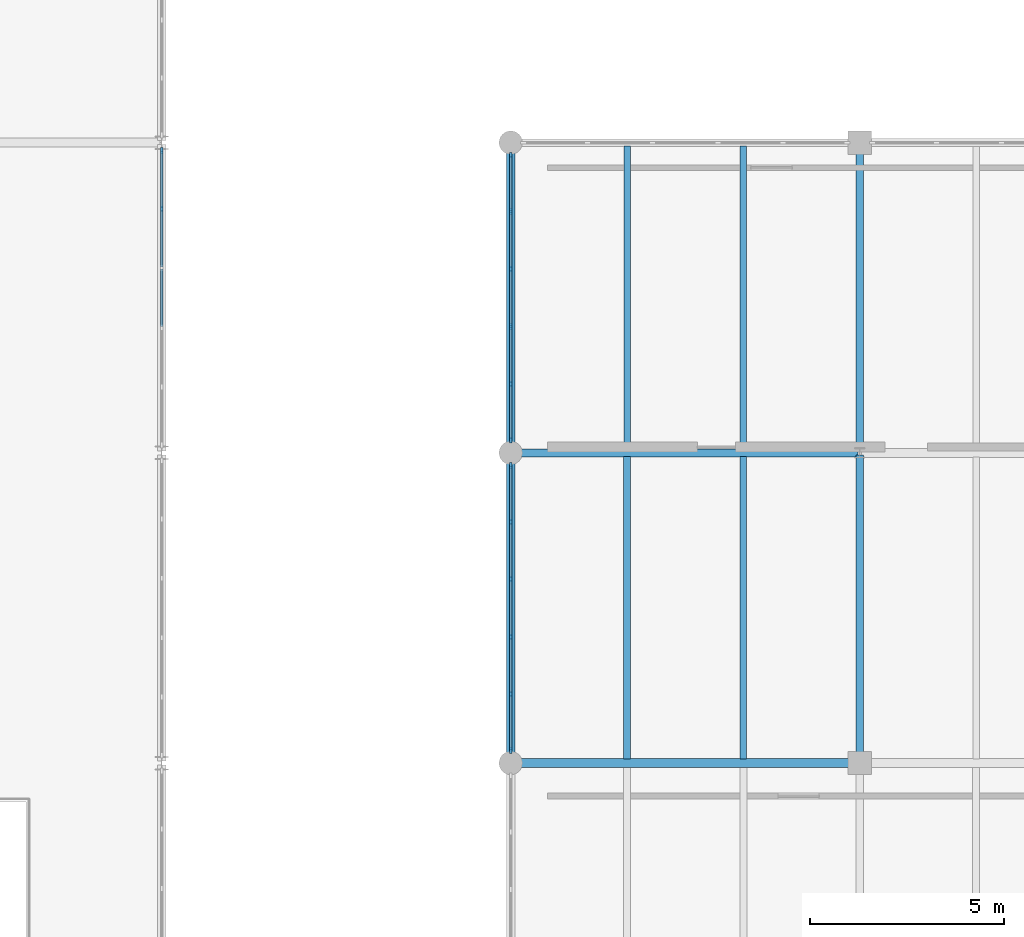
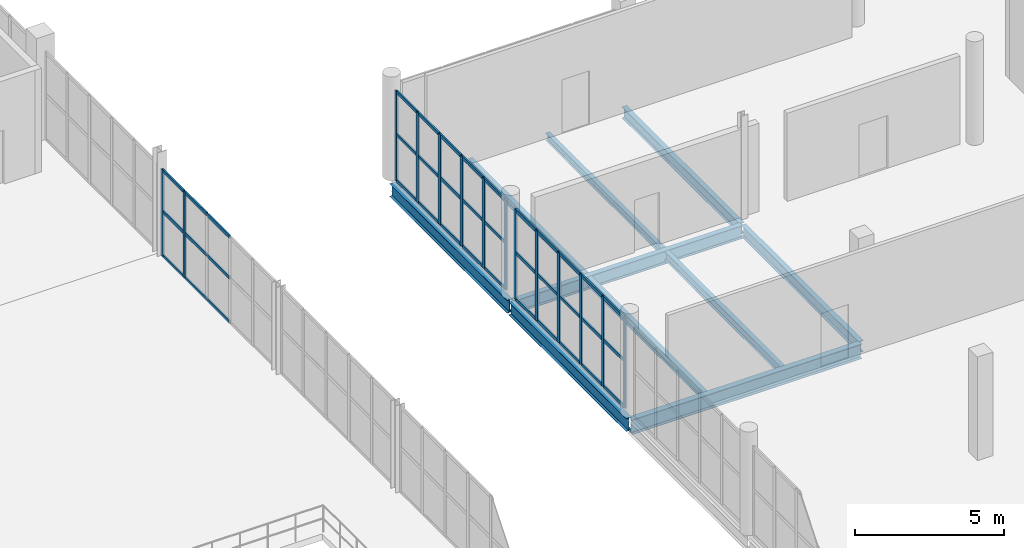
# One storey, part 26 of 73: 53 members, 10 beams, 3 elements without a shape of their own.
"""IFC4 building model written with IfcOpenShell, lengths in metres."""

from ifc_helpers import new_model, si_unit, direction, frame, origin, origin_2d, place, context, subcontext, project, spatial, rectangle, i_section, extrude, material, layer, layer_set, material_profile, profile_set, type_object, element, aggregate, save


model = new_model("IFC4")

# Units and contexts
model_context = context("Model", 3, precision=1e-05, world=origin(), true_north=direction((0.0, 1.0)))
body_context = subcontext(model_context, "Body", "Model", "MODEL_VIEW")
ifc_project = project(units=[si_unit("LENGTHUNIT", "METRE"), si_unit("AREAUNIT", "SQUARE_METRE"), si_unit("VOLUMEUNIT", "CUBIC_METRE"), si_unit("PLANEANGLEUNIT", "RADIAN"), si_unit("MASSUNIT", "GRAM", prefix="KILO")], contexts=[model_context])

# Site, building, storey
site_placement = place(None, origin())
site = spatial("IfcSite", under=ifc_project, at=site_placement, CompositionType="ELEMENT")
building_placement = place(site_placement, origin())
building = spatial("IfcBuilding", under=site, at=building_placement, Name="Marnock Terrace Opera House", CompositionType="ELEMENT")
storey_placement = place(building_placement, frame((0.0, 0.0, 14.699951171875)))
storey = spatial("IfcBuildingStorey", under=building, at=storey_placement, Name="L03", CompositionType="ELEMENT", Elevation=14.699951171875)

# Beams
ifc_material_1 = material(Name="Steel Grade 350 (AS/NZS 3679.1)", Category="steel")
ifc_material_profile_1 = material_profile(ifc_material_1, i_section(OverallWidth=0.18994140625, OverallDepth=0.45751953125, WebThickness=0.009033203125, FlangeThickness=0.014404296875, FilletRadius=0.011474609375, at=origin_2d()))
ifc_profile_set_1 = profile_set([ifc_material_profile_1], Name="Steel Grade 350 (AS/NZS 3679.1)")
beam_type_1 = type_object("IfcBeamType", Name="BM-GIRD-460B", PredefinedType="BEAM", material=ifc_profile_set_1)
for number, where, z_axis, x_axis, name in (
    (1, (127.0, 24.050048828125, -0.48876953125), (0.0, 1.0, 0.0), (-1.0, 0.0, 0.0), "L03 girder (X=127.0, 24.0..32.0)"),
    (2, (127.0, 32.050048828125, -0.48876953125), (0.0, 1.0, 0.0), (-1.0, 0.0, 0.0), "L03 girder (X=127.0, 32.0..40.0)"),
):
    element("IfcBeam", number, at=place(storey_placement, frame(where, z_axis=z_axis, x_axis=x_axis)), inside=storey, type_object=beam_type_1, Name=name, PredefinedType="BEAM", context=body_context, shape_type="SweptSolid", body=[
        extrude(i_section(OverallWidth=0.18994140625, OverallDepth=0.45751953125, WebThickness=0.009033203125, FlangeThickness=0.014404296875, FilletRadius=0.011474609375, at=origin_2d()), origin(), (0.0, 0.0, 1.0), 7.89990234375),
    ])
ifc_material_profile_2 = material_profile(ifc_material_1, i_section(OverallWidth=0.208984375, OverallDepth=0.532958984375, WebThickness=0.01025390625, FlangeThickness=0.015625, FilletRadius=0.013916015625, at=origin_2d()))
ifc_profile_set_2 = profile_set([ifc_material_profile_2], Name="Steel Grade 350 (AS/NZS 3679.1)")
beam_type_2 = type_object("IfcBeamType", Name="BM-GIRD-530A", PredefinedType="BEAM", material=ifc_profile_set_2)
beam_1_placement = place(storey_placement, frame((118.050048828125, 32.0, -0.5263671875), z_axis=(1.0, 0.0, 0.0), x_axis=(0.0, 1.0, 0.0)))
element("IfcBeam", 3, at=beam_1_placement, inside=storey, type_object=beam_type_2, Name="L03 girder (118.0..127.0, Y=32.0)", PredefinedType="BEAM", context=body_context, shape_type="SweptSolid", body=[
    extrude(i_section(OverallWidth=0.208984375, OverallDepth=0.532958984375, WebThickness=0.01025390625, FlangeThickness=0.015625, FilletRadius=0.013916015625, at=origin_2d()), origin(), (0.0, 0.0, 1.0), 8.89990234375),
])
ifc_material_profile_3 = material_profile(ifc_material_1, i_section(OverallWidth=0.208984375, OverallDepth=0.528076171875, WebThickness=0.009521484375, FlangeThickness=0.01318359375, FilletRadius=0.013916015625, at=origin_2d()))
ifc_profile_set_3 = profile_set([ifc_material_profile_3], Name="Steel Grade 350 (AS/NZS 3679.1)")
beam_type_3 = type_object("IfcBeamType", Name="BM-GIRD-530B", PredefinedType="BEAM", material=ifc_profile_set_3)
for number, where, z_axis, x_axis, name in (
    (4, (118.0, 24.050048828125, -0.52392578125), (0.0, 1.0, 0.0), (-1.0, 0.0, 0.0), "L03 girder (X=118.0, 24.0..32.0)"),
    (5, (118.0, 32.050048828125, -0.52392578125), (0.0, 1.0, 0.0), (-1.0, 0.0, 0.0), "L03 girder (X=118.0, 32.0..40.0)"),
):
    element("IfcBeam", number, at=place(storey_placement, frame(where, z_axis=z_axis, x_axis=x_axis)), inside=storey, type_object=beam_type_3, Name=name, PredefinedType="BEAM", context=body_context, shape_type="SweptSolid", body=[
        extrude(i_section(OverallWidth=0.208984375, OverallDepth=0.528076171875, WebThickness=0.009521484375, FlangeThickness=0.01318359375, FilletRadius=0.013916015625, at=origin_2d()), origin(), (0.0, 0.0, 1.0), 7.89990234375),
    ])
ifc_material_profile_4 = material_profile(ifc_material_1, i_section(OverallWidth=0.22802734375, OverallDepth=0.60693359375, WebThickness=0.01123046875, FlangeThickness=0.017333984375, FilletRadius=0.013916015625, at=origin_2d()))
ifc_profile_set_4 = profile_set([ifc_material_profile_4], Name="Steel Grade 350 (AS/NZS 3679.1)")
beam_type_4 = type_object("IfcBeamType", Name="BM-GIRD-610B", PredefinedType="BEAM", material=ifc_profile_set_4)
beam_2_placement = place(storey_placement, frame((118.050048828125, 24.0, -0.5634765625), z_axis=(1.0, 0.0, 0.0), x_axis=(0.0, 1.0, 0.0)))
element("IfcBeam", 6, at=beam_2_placement, inside=storey, type_object=beam_type_4, Name="L03 girder (118.0..127.0, Y=24.0)", PredefinedType="BEAM", context=body_context, shape_type="SweptSolid", body=[
    extrude(i_section(OverallWidth=0.22802734375, OverallDepth=0.60693359375, WebThickness=0.01123046875, FlangeThickness=0.017333984375, FilletRadius=0.013916015625, at=origin_2d()), origin(), (0.0, 0.0, 1.0), 8.89990234375),
])
ifc_material_profile_5 = material_profile(ifc_material_1, i_section(OverallWidth=0.166015625, OverallDepth=0.30712890625, WebThickness=0.006591796875, FlangeThickness=0.01171875, FilletRadius=0.011474609375, at=origin_2d()))
ifc_profile_set_5 = profile_set([ifc_material_profile_5], Name="Steel Grade 350 (AS/NZS 3679.1)")
beam_type_5 = type_object("IfcBeamType", Name="BM-JOIST-310A", PredefinedType="JOIST", material=ifc_profile_set_5)
for number, where, z_axis, x_axis, name in (
    (7, (121.0, 32.099609375, -0.41357421875), (0.0, 1.0, 0.0), (-1.0, 0.0, 0.0), "L03 secondary joist 13.4.1"),
    (8, (124.0, 32.099609375, -0.41357421875), (0.0, 1.0, 0.0), (-1.0, 0.0, 0.0), "L03 secondary joist 13.4.2"),
):
    element("IfcBeam", number, at=place(storey_placement, frame(where, z_axis=z_axis, x_axis=x_axis)), inside=storey, type_object=beam_type_5, Name=name, PredefinedType="JOIST", context=body_context, shape_type="SweptSolid", body=[
        extrude(i_section(OverallWidth=0.166015625, OverallDepth=0.30712890625, WebThickness=0.006591796875, FlangeThickness=0.01171875, FilletRadius=0.011474609375, at=origin_2d()), origin(), (0.0, 0.0, 1.0), 7.809814453125),
    ])
ifc_material_profile_6 = material_profile(ifc_material_1, i_section(OverallWidth=0.172119140625, OverallDepth=0.358642578125, WebThickness=0.008056640625, FlangeThickness=0.012939453125, FilletRadius=0.011474609375, at=origin_2d()))
ifc_profile_set_6 = profile_set([ifc_material_profile_6], Name="Steel Grade 350 (AS/NZS 3679.1)")
beam_type_6 = type_object("IfcBeamType", Name="BM-JOIST-360", PredefinedType="JOIST", material=ifc_profile_set_6)
for number, where, z_axis, x_axis, name in (
    (9, (121.0, 24.10888671875, -0.439208984375), (0.0, 1.0, 0.0), (-1.0, 0.0, 0.0), "L03 secondary joist 13.3.1"),
    (10, (124.0, 24.10888671875, -0.439208984375), (0.0, 1.0, 0.0), (-1.0, 0.0, 0.0), "L03 secondary joist 13.3.2"),
):
    element("IfcBeam", number, at=place(storey_placement, frame(where, z_axis=z_axis, x_axis=x_axis)), inside=storey, type_object=beam_type_6, Name=name, PredefinedType="JOIST", context=body_context, shape_type="SweptSolid", body=[
        extrude(i_section(OverallWidth=0.172119140625, OverallDepth=0.358642578125, WebThickness=0.008056640625, FlangeThickness=0.012939453125, FilletRadius=0.011474609375, at=origin_2d()), origin(), (0.0, 0.0, 1.0), 7.79150390625),
    ])

# Curtain wall, members
ifc_material_2 = material(Name="Anodised architectural bronze aluminium framing", Category="aluminium")
ifc_layer_1 = layer(ifc_material_2, 0.159912109375)
ifc_layer_set_1 = layer_set([ifc_layer_1], Name="Anodised architectural bronze aluminium framing")
curtain_wall_type_1 = type_object("IfcCurtainWallType", Name="CW-FOYER-80x42", PredefinedType="NOTDEFINED", material=ifc_layer_set_1)
curtain_wall_1_placement = place(storey_placement, origin())
curtain_wall_1 = element("IfcCurtainWall", 11, at=curtain_wall_1_placement, inside=storey, type_object=curtain_wall_type_1, Name="L03 glazed Beaux-Arts colonnade curtain wall CW-V1E-L03-04", PredefinedType="NOTDEFINED")
ifc_material_profile_7 = material_profile(ifc_material_2, rectangle(XDim=0.06005859375, YDim=0.14990234375, at=origin_2d()))
ifc_profile_set_7 = profile_set([ifc_material_profile_7], Name="Anodised architectural bronze aluminium framing")
member_type_1 = type_object("IfcMemberType", Name="CWM-60x150", PredefinedType="MULLION", material=ifc_profile_set_7)
member_1_placement = place(storey_placement, frame((109.0, 38.29736328125, 0.0), z_axis=(0.0, 0.0, 1.0), x_axis=(-1.0, 0.0, 0.0)))
member_1 = element("IfcMember", 12, at=member_1_placement, type_object=member_type_1, Name="CW-62 mullion 5", PredefinedType="MULLION", context=body_context, shape_type="SweptSolid", body=[
    extrude(rectangle(XDim=0.06005859375, YDim=0.14990234375, at=origin_2d()), origin(), (0.0, 0.0, 1.0), 3.546142578125),
])
member_2_placement = place(storey_placement, frame((109.0, 39.799072265625, 0.0), z_axis=(0.0, 0.0, 1.0), x_axis=(-1.0, 0.0, 0.0)))
member_2 = element("IfcMember", 13, at=member_2_placement, type_object=member_type_1, Name="CW-62 mullion 6", PredefinedType="MULLION", context=body_context, shape_type="SweptSolid", body=[
    extrude(rectangle(XDim=0.06005859375, YDim=0.14990234375, at=origin_2d()), origin(), (0.0, 0.0, 1.0), 3.546142578125),
])

ifc_layer_2 = layer(ifc_material_2, 0.159912109375)
ifc_layer_set_2 = layer_set([ifc_layer_2], Name="Anodised architectural bronze aluminium framing")
curtain_wall_type_2 = type_object("IfcCurtainWallType", Name="CW-LOGGIA-86x42", PredefinedType="NOTDEFINED", material=ifc_layer_set_2)
curtain_wall_2_placement = place(storey_placement, origin())
curtain_wall_2 = element("IfcCurtainWall", 14, at=curtain_wall_2_placement, inside=storey, type_object=curtain_wall_type_2, Name="L03 glazed Beaux-Arts colonnade curtain wall CW-V5-L03-W3", PredefinedType="NOTDEFINED")
member_3_placement = place(storey_placement, frame((118.0, 24.325927734375, 0.0), z_axis=(0.0, 0.0, 1.0), x_axis=(-1.0, 0.0, 0.0)))
member_3 = element("IfcMember", 15, at=member_3_placement, type_object=member_type_1, Name="CW-66 mullion 1", PredefinedType="MULLION", context=body_context, shape_type="SweptSolid", body=[
    extrude(rectangle(XDim=0.06005859375, YDim=0.14990234375, at=origin_2d()), origin(), (0.0, 0.0, 1.0), 3.692138671875),
])
member_4_placement = place(storey_placement, frame((118.0, 25.777587890625, 0.0), z_axis=(0.0, 0.0, 1.0), x_axis=(-1.0, 0.0, 0.0)))
member_4 = element("IfcMember", 16, at=member_4_placement, type_object=member_type_1, Name="CW-66 mullion 2", PredefinedType="MULLION", context=body_context, shape_type="SweptSolid", body=[
    extrude(rectangle(XDim=0.06005859375, YDim=0.14990234375, at=origin_2d()), origin(), (0.0, 0.0, 1.0), 3.692138671875),
])
member_5_placement = place(storey_placement, frame((118.0, 27.25927734375, 0.0), z_axis=(0.0, 0.0, 1.0), x_axis=(-1.0, 0.0, 0.0)))
member_5 = element("IfcMember", 17, at=member_5_placement, type_object=member_type_1, Name="CW-66 mullion 3", PredefinedType="MULLION", context=body_context, shape_type="SweptSolid", body=[
    extrude(rectangle(XDim=0.06005859375, YDim=0.14990234375, at=origin_2d()), origin(), (0.0, 0.0, 1.0), 3.692138671875),
])
member_6_placement = place(storey_placement, frame((118.0, 28.74072265625, 0.0), z_axis=(0.0, 0.0, 1.0), x_axis=(-1.0, 0.0, 0.0)))
member_6 = element("IfcMember", 18, at=member_6_placement, type_object=member_type_1, Name="CW-66 mullion 4", PredefinedType="MULLION", context=body_context, shape_type="SweptSolid", body=[
    extrude(rectangle(XDim=0.06005859375, YDim=0.14990234375, at=origin_2d()), origin(), (0.0, 0.0, 1.0), 3.692138671875),
])
member_7_placement = place(storey_placement, frame((118.0, 30.222412109375, 0.0), z_axis=(0.0, 0.0, 1.0), x_axis=(-1.0, 0.0, 0.0)))
member_7 = element("IfcMember", 19, at=member_7_placement, type_object=member_type_1, Name="CW-66 mullion 5", PredefinedType="MULLION", context=body_context, shape_type="SweptSolid", body=[
    extrude(rectangle(XDim=0.06005859375, YDim=0.14990234375, at=origin_2d()), origin(), (0.0, 0.0, 1.0), 3.692138671875),
])
member_8_placement = place(storey_placement, frame((118.0, 31.674072265625, 0.0), z_axis=(0.0, 0.0, 1.0), x_axis=(-1.0, 0.0, 0.0)))
member_8 = element("IfcMember", 20, at=member_8_placement, type_object=member_type_1, Name="CW-66 mullion 6", PredefinedType="MULLION", context=body_context, shape_type="SweptSolid", body=[
    extrude(rectangle(XDim=0.06005859375, YDim=0.14990234375, at=origin_2d()), origin(), (0.0, 0.0, 1.0), 3.692138671875),
])

curtain_wall_3_placement = place(storey_placement, origin())
curtain_wall_3 = element("IfcCurtainWall", 21, at=curtain_wall_3_placement, inside=storey, type_object=curtain_wall_type_2, Name="L03 glazed Beaux-Arts colonnade curtain wall CW-V5-L03-W4", PredefinedType="NOTDEFINED")
member_9_placement = place(storey_placement, frame((118.0, 32.325927734375, 0.0), z_axis=(0.0, 0.0, 1.0), x_axis=(-1.0, 0.0, 0.0)))
member_9 = element("IfcMember", 22, at=member_9_placement, type_object=member_type_1, Name="CW-66 mullion 1", PredefinedType="MULLION", context=body_context, shape_type="SweptSolid", body=[
    extrude(rectangle(XDim=0.06005859375, YDim=0.14990234375, at=origin_2d()), origin(), (0.0, 0.0, 1.0), 3.692138671875),
])
member_10_placement = place(storey_placement, frame((118.0, 33.777587890625, 0.0), z_axis=(0.0, 0.0, 1.0), x_axis=(-1.0, 0.0, 0.0)))
member_10 = element("IfcMember", 23, at=member_10_placement, type_object=member_type_1, Name="CW-66 mullion 2", PredefinedType="MULLION", context=body_context, shape_type="SweptSolid", body=[
    extrude(rectangle(XDim=0.06005859375, YDim=0.14990234375, at=origin_2d()), origin(), (0.0, 0.0, 1.0), 3.692138671875),
])
member_11_placement = place(storey_placement, frame((118.0, 35.25927734375, 0.0), z_axis=(0.0, 0.0, 1.0), x_axis=(-1.0, 0.0, 0.0)))
member_11 = element("IfcMember", 24, at=member_11_placement, type_object=member_type_1, Name="CW-66 mullion 3", PredefinedType="MULLION", context=body_context, shape_type="SweptSolid", body=[
    extrude(rectangle(XDim=0.06005859375, YDim=0.14990234375, at=origin_2d()), origin(), (0.0, 0.0, 1.0), 3.692138671875),
])
member_12_placement = place(storey_placement, frame((118.0, 36.74072265625, 0.0), z_axis=(0.0, 0.0, 1.0), x_axis=(-1.0, 0.0, 0.0)))
member_12 = element("IfcMember", 25, at=member_12_placement, type_object=member_type_1, Name="CW-66 mullion 4", PredefinedType="MULLION", context=body_context, shape_type="SweptSolid", body=[
    extrude(rectangle(XDim=0.06005859375, YDim=0.14990234375, at=origin_2d()), origin(), (0.0, 0.0, 1.0), 3.692138671875),
])
member_13_placement = place(storey_placement, frame((118.0, 38.222412109375, 0.0), z_axis=(0.0, 0.0, 1.0), x_axis=(-1.0, 0.0, 0.0)))
member_13 = element("IfcMember", 26, at=member_13_placement, type_object=member_type_1, Name="CW-66 mullion 5", PredefinedType="MULLION", context=body_context, shape_type="SweptSolid", body=[
    extrude(rectangle(XDim=0.06005859375, YDim=0.14990234375, at=origin_2d()), origin(), (0.0, 0.0, 1.0), 3.692138671875),
])
member_14_placement = place(storey_placement, frame((118.0, 39.674072265625, 0.0), z_axis=(0.0, 0.0, 1.0), x_axis=(-1.0, 0.0, 0.0)))
member_14 = element("IfcMember", 27, at=member_14_placement, type_object=member_type_1, Name="CW-66 mullion 6", PredefinedType="MULLION", context=body_context, shape_type="SweptSolid", body=[
    extrude(rectangle(XDim=0.06005859375, YDim=0.14990234375, at=origin_2d()), origin(), (0.0, 0.0, 1.0), 3.692138671875),
])

# Member
ifc_material_profile_8 = material_profile(ifc_material_2, rectangle(XDim=0.06005859375, YDim=0.1298828125, at=origin_2d()))
ifc_profile_set_8 = profile_set([ifc_material_profile_8], Name="Anodised architectural bronze aluminium framing")
member_type_2 = type_object("IfcMemberType", Name="CWT-60x130", PredefinedType="USERDEFINED", material=ifc_profile_set_8)
member_15_placement = place(storey_placement, frame((109.0, 35.26416015625, 0.030029296875), z_axis=(0.0, 1.0, 0.0), x_axis=(-1.0, 0.0, 0.0)))
member_15 = element("IfcMember", 28, at=member_15_placement, type_object=member_type_2, Name="CW-62 transom 3.1", ObjectType="TRANSOM", PredefinedType="USERDEFINED", context=body_context, shape_type="SweptSolid", body=[
    extrude(rectangle(XDim=0.06005859375, YDim=0.1298828125, at=origin_2d()), origin(), (0.0, 0.0, 1.0), 1.4716796875),
])

member_16_placement = place(storey_placement, frame((109.0, 35.26416015625, 1.843994140625), z_axis=(0.0, 1.0, 0.0), x_axis=(-1.0, 0.0, 0.0)))
member_16 = element("IfcMember", 29, at=member_16_placement, type_object=member_type_2, Name="CW-62 transom 3.2", ObjectType="TRANSOM", PredefinedType="USERDEFINED", context=body_context, shape_type="SweptSolid", body=[
    extrude(rectangle(XDim=0.06005859375, YDim=0.1298828125, at=origin_2d()), origin(), (0.0, 0.0, 1.0), 1.4716796875),
])

member_17_placement = place(storey_placement, frame((109.0, 35.26416015625, 3.51611328125), z_axis=(0.0, 1.0, 0.0), x_axis=(-1.0, 0.0, 0.0)))
member_17 = element("IfcMember", 30, at=member_17_placement, type_object=member_type_2, Name="CW-62 transom 3.3", ObjectType="TRANSOM", PredefinedType="USERDEFINED", context=body_context, shape_type="SweptSolid", body=[
    extrude(rectangle(XDim=0.06005859375, YDim=0.1298828125, at=origin_2d()), origin(), (0.0, 0.0, 1.0), 1.4716796875),
])

member_18_placement = place(storey_placement, frame((109.0, 36.7958984375, 0.030029296875), z_axis=(0.0, 1.0, 0.0), x_axis=(-1.0, 0.0, 0.0)))
member_18 = element("IfcMember", 31, at=member_18_placement, type_object=member_type_2, Name="CW-62 transom 4.1", ObjectType="TRANSOM", PredefinedType="USERDEFINED", context=body_context, shape_type="SweptSolid", body=[
    extrude(rectangle(XDim=0.06005859375, YDim=0.1298828125, at=origin_2d()), origin(), (0.0, 0.0, 1.0), 1.471435546875),
])

member_19_placement = place(storey_placement, frame((109.0, 36.7958984375, 1.843994140625), z_axis=(0.0, 1.0, 0.0), x_axis=(-1.0, 0.0, 0.0)))
member_19 = element("IfcMember", 32, at=member_19_placement, type_object=member_type_2, Name="CW-62 transom 4.2", ObjectType="TRANSOM", PredefinedType="USERDEFINED", context=body_context, shape_type="SweptSolid", body=[
    extrude(rectangle(XDim=0.06005859375, YDim=0.1298828125, at=origin_2d()), origin(), (0.0, 0.0, 1.0), 1.471435546875),
])

member_20_placement = place(storey_placement, frame((109.0, 36.7958984375, 3.51611328125), z_axis=(0.0, 1.0, 0.0), x_axis=(-1.0, 0.0, 0.0)))
member_20 = element("IfcMember", 33, at=member_20_placement, type_object=member_type_2, Name="CW-62 transom 4.3", ObjectType="TRANSOM", PredefinedType="USERDEFINED", context=body_context, shape_type="SweptSolid", body=[
    extrude(rectangle(XDim=0.06005859375, YDim=0.1298828125, at=origin_2d()), origin(), (0.0, 0.0, 1.0), 1.471435546875),
])

member_21_placement = place(storey_placement, frame((109.0, 38.327392578125, 0.030029296875), z_axis=(0.0, 1.0, 0.0), x_axis=(-1.0, 0.0, 0.0)))
member_21 = element("IfcMember", 34, at=member_21_placement, type_object=member_type_2, Name="CW-62 transom 5.1", ObjectType="TRANSOM", PredefinedType="USERDEFINED", context=body_context, shape_type="SweptSolid", body=[
    extrude(rectangle(XDim=0.06005859375, YDim=0.1298828125, at=origin_2d()), origin(), (0.0, 0.0, 1.0), 1.441650390625),
])

member_22_placement = place(storey_placement, frame((109.0, 38.327392578125, 1.843994140625), z_axis=(0.0, 1.0, 0.0), x_axis=(-1.0, 0.0, 0.0)))
member_22 = element("IfcMember", 35, at=member_22_placement, type_object=member_type_2, Name="CW-62 transom 5.2", ObjectType="TRANSOM", PredefinedType="USERDEFINED", context=body_context, shape_type="SweptSolid", body=[
    extrude(rectangle(XDim=0.06005859375, YDim=0.1298828125, at=origin_2d()), origin(), (0.0, 0.0, 1.0), 1.441650390625),
])

member_23_placement = place(storey_placement, frame((109.0, 38.327392578125, 3.51611328125), z_axis=(0.0, 1.0, 0.0), x_axis=(-1.0, 0.0, 0.0)))
member_23 = element("IfcMember", 36, at=member_23_placement, type_object=member_type_2, Name="CW-62 transom 5.3", ObjectType="TRANSOM", PredefinedType="USERDEFINED", context=body_context, shape_type="SweptSolid", body=[
    extrude(rectangle(XDim=0.06005859375, YDim=0.1298828125, at=origin_2d()), origin(), (0.0, 0.0, 1.0), 1.441650390625),
])

aggregate(curtain_wall_1, [member_1, member_2, member_15, member_16, member_17, member_18, member_19, member_20, member_21, member_22, member_23])

member_24_placement = place(storey_placement, frame((118.0, 24.35595703125, 0.030029296875), z_axis=(0.0, 1.0, 0.0), x_axis=(-1.0, 0.0, 0.0)))
member_24 = element("IfcMember", 37, at=member_24_placement, type_object=member_type_2, Name="CW-66 transom 1.1", ObjectType="TRANSOM", PredefinedType="USERDEFINED", context=body_context, shape_type="SweptSolid", body=[
    extrude(rectangle(XDim=0.06005859375, YDim=0.1298828125, at=origin_2d()), origin(), (0.0, 0.0, 1.0), 1.3916015625),
])

member_25_placement = place(storey_placement, frame((118.0, 24.35595703125, 1.919921875), z_axis=(0.0, 1.0, 0.0), x_axis=(-1.0, 0.0, 0.0)))
member_25 = element("IfcMember", 38, at=member_25_placement, type_object=member_type_2, Name="CW-66 transom 1.2", ObjectType="TRANSOM", PredefinedType="USERDEFINED", context=body_context, shape_type="SweptSolid", body=[
    extrude(rectangle(XDim=0.06005859375, YDim=0.1298828125, at=origin_2d()), origin(), (0.0, 0.0, 1.0), 1.3916015625),
])

member_26_placement = place(storey_placement, frame((118.0, 24.35595703125, 3.662109375), z_axis=(0.0, 1.0, 0.0), x_axis=(-1.0, 0.0, 0.0)))
member_26 = element("IfcMember", 39, at=member_26_placement, type_object=member_type_2, Name="CW-66 transom 1.3", ObjectType="TRANSOM", PredefinedType="USERDEFINED", context=body_context, shape_type="SweptSolid", body=[
    extrude(rectangle(XDim=0.06005859375, YDim=0.1298828125, at=origin_2d()), origin(), (0.0, 0.0, 1.0), 1.3916015625),
])

member_27_placement = place(storey_placement, frame((118.0, 25.8076171875, 0.030029296875), z_axis=(0.0, 1.0, 0.0), x_axis=(-1.0, 0.0, 0.0)))
member_27 = element("IfcMember", 40, at=member_27_placement, type_object=member_type_2, Name="CW-66 transom 2.1", ObjectType="TRANSOM", PredefinedType="USERDEFINED", context=body_context, shape_type="SweptSolid", body=[
    extrude(rectangle(XDim=0.06005859375, YDim=0.1298828125, at=origin_2d()), origin(), (0.0, 0.0, 1.0), 1.421630859375),
])

member_28_placement = place(storey_placement, frame((118.0, 25.8076171875, 1.919921875), z_axis=(0.0, 1.0, 0.0), x_axis=(-1.0, 0.0, 0.0)))
member_28 = element("IfcMember", 41, at=member_28_placement, type_object=member_type_2, Name="CW-66 transom 2.2", ObjectType="TRANSOM", PredefinedType="USERDEFINED", context=body_context, shape_type="SweptSolid", body=[
    extrude(rectangle(XDim=0.06005859375, YDim=0.1298828125, at=origin_2d()), origin(), (0.0, 0.0, 1.0), 1.421630859375),
])

member_29_placement = place(storey_placement, frame((118.0, 25.8076171875, 3.662109375), z_axis=(0.0, 1.0, 0.0), x_axis=(-1.0, 0.0, 0.0)))
member_29 = element("IfcMember", 42, at=member_29_placement, type_object=member_type_2, Name="CW-66 transom 2.3", ObjectType="TRANSOM", PredefinedType="USERDEFINED", context=body_context, shape_type="SweptSolid", body=[
    extrude(rectangle(XDim=0.06005859375, YDim=0.1298828125, at=origin_2d()), origin(), (0.0, 0.0, 1.0), 1.421630859375),
])

member_30_placement = place(storey_placement, frame((118.0, 27.289306640625, 0.030029296875), z_axis=(0.0, 1.0, 0.0), x_axis=(-1.0, 0.0, 0.0)))
member_30 = element("IfcMember", 43, at=member_30_placement, type_object=member_type_2, Name="CW-66 transom 3.1", ObjectType="TRANSOM", PredefinedType="USERDEFINED", context=body_context, shape_type="SweptSolid", body=[
    extrude(rectangle(XDim=0.06005859375, YDim=0.1298828125, at=origin_2d()), origin(), (0.0, 0.0, 1.0), 1.42138671875),
])

member_31_placement = place(storey_placement, frame((118.0, 27.289306640625, 1.919921875), z_axis=(0.0, 1.0, 0.0), x_axis=(-1.0, 0.0, 0.0)))
member_31 = element("IfcMember", 44, at=member_31_placement, type_object=member_type_2, Name="CW-66 transom 3.2", ObjectType="TRANSOM", PredefinedType="USERDEFINED", context=body_context, shape_type="SweptSolid", body=[
    extrude(rectangle(XDim=0.06005859375, YDim=0.1298828125, at=origin_2d()), origin(), (0.0, 0.0, 1.0), 1.42138671875),
])

member_32_placement = place(storey_placement, frame((118.0, 27.289306640625, 3.662109375), z_axis=(0.0, 1.0, 0.0), x_axis=(-1.0, 0.0, 0.0)))
member_32 = element("IfcMember", 45, at=member_32_placement, type_object=member_type_2, Name="CW-66 transom 3.3", ObjectType="TRANSOM", PredefinedType="USERDEFINED", context=body_context, shape_type="SweptSolid", body=[
    extrude(rectangle(XDim=0.06005859375, YDim=0.1298828125, at=origin_2d()), origin(), (0.0, 0.0, 1.0), 1.42138671875),
])

member_33_placement = place(storey_placement, frame((118.0, 28.770751953125, 0.030029296875), z_axis=(0.0, 1.0, 0.0), x_axis=(-1.0, 0.0, 0.0)))
member_33 = element("IfcMember", 46, at=member_33_placement, type_object=member_type_2, Name="CW-66 transom 4.1", ObjectType="TRANSOM", PredefinedType="USERDEFINED", context=body_context, shape_type="SweptSolid", body=[
    extrude(rectangle(XDim=0.06005859375, YDim=0.1298828125, at=origin_2d()), origin(), (0.0, 0.0, 1.0), 1.421630859375),
])

member_34_placement = place(storey_placement, frame((118.0, 28.770751953125, 1.919921875), z_axis=(0.0, 1.0, 0.0), x_axis=(-1.0, 0.0, 0.0)))
member_34 = element("IfcMember", 47, at=member_34_placement, type_object=member_type_2, Name="CW-66 transom 4.2", ObjectType="TRANSOM", PredefinedType="USERDEFINED", context=body_context, shape_type="SweptSolid", body=[
    extrude(rectangle(XDim=0.06005859375, YDim=0.1298828125, at=origin_2d()), origin(), (0.0, 0.0, 1.0), 1.421630859375),
])

member_35_placement = place(storey_placement, frame((118.0, 28.770751953125, 3.662109375), z_axis=(0.0, 1.0, 0.0), x_axis=(-1.0, 0.0, 0.0)))
member_35 = element("IfcMember", 48, at=member_35_placement, type_object=member_type_2, Name="CW-66 transom 4.3", ObjectType="TRANSOM", PredefinedType="USERDEFINED", context=body_context, shape_type="SweptSolid", body=[
    extrude(rectangle(XDim=0.06005859375, YDim=0.1298828125, at=origin_2d()), origin(), (0.0, 0.0, 1.0), 1.421630859375),
])

member_36_placement = place(storey_placement, frame((118.0, 30.25244140625, 0.030029296875), z_axis=(0.0, 1.0, 0.0), x_axis=(-1.0, 0.0, 0.0)))
member_36 = element("IfcMember", 49, at=member_36_placement, type_object=member_type_2, Name="CW-66 transom 5.1", ObjectType="TRANSOM", PredefinedType="USERDEFINED", context=body_context, shape_type="SweptSolid", body=[
    extrude(rectangle(XDim=0.06005859375, YDim=0.1298828125, at=origin_2d()), origin(), (0.0, 0.0, 1.0), 1.3916015625),
])

member_37_placement = place(storey_placement, frame((118.0, 30.25244140625, 1.919921875), z_axis=(0.0, 1.0, 0.0), x_axis=(-1.0, 0.0, 0.0)))
member_37 = element("IfcMember", 50, at=member_37_placement, type_object=member_type_2, Name="CW-66 transom 5.2", ObjectType="TRANSOM", PredefinedType="USERDEFINED", context=body_context, shape_type="SweptSolid", body=[
    extrude(rectangle(XDim=0.06005859375, YDim=0.1298828125, at=origin_2d()), origin(), (0.0, 0.0, 1.0), 1.3916015625),
])

member_38_placement = place(storey_placement, frame((118.0, 30.25244140625, 3.662109375), z_axis=(0.0, 1.0, 0.0), x_axis=(-1.0, 0.0, 0.0)))
member_38 = element("IfcMember", 51, at=member_38_placement, type_object=member_type_2, Name="CW-66 transom 5.3", ObjectType="TRANSOM", PredefinedType="USERDEFINED", context=body_context, shape_type="SweptSolid", body=[
    extrude(rectangle(XDim=0.06005859375, YDim=0.1298828125, at=origin_2d()), origin(), (0.0, 0.0, 1.0), 1.3916015625),
])

aggregate(curtain_wall_2, [member_3, member_4, member_5, member_6, member_7, member_8, member_24, member_25, member_26, member_27, member_28, member_29, member_30, member_31, member_32, member_33, member_34, member_35, member_36, member_37, member_38])

member_39_placement = place(storey_placement, frame((118.0, 32.35595703125, 0.030029296875), z_axis=(0.0, 1.0, 0.0), x_axis=(-1.0, 0.0, 0.0)))
member_39 = element("IfcMember", 52, at=member_39_placement, type_object=member_type_2, Name="CW-66 transom 1.1", ObjectType="TRANSOM", PredefinedType="USERDEFINED", context=body_context, shape_type="SweptSolid", body=[
    extrude(rectangle(XDim=0.06005859375, YDim=0.1298828125, at=origin_2d()), origin(), (0.0, 0.0, 1.0), 1.3916015625),
])

member_40_placement = place(storey_placement, frame((118.0, 32.35595703125, 1.919921875), z_axis=(0.0, 1.0, 0.0), x_axis=(-1.0, 0.0, 0.0)))
member_40 = element("IfcMember", 53, at=member_40_placement, type_object=member_type_2, Name="CW-66 transom 1.2", ObjectType="TRANSOM", PredefinedType="USERDEFINED", context=body_context, shape_type="SweptSolid", body=[
    extrude(rectangle(XDim=0.06005859375, YDim=0.1298828125, at=origin_2d()), origin(), (0.0, 0.0, 1.0), 1.3916015625),
])

member_41_placement = place(storey_placement, frame((118.0, 32.35595703125, 3.662109375), z_axis=(0.0, 1.0, 0.0), x_axis=(-1.0, 0.0, 0.0)))
member_41 = element("IfcMember", 54, at=member_41_placement, type_object=member_type_2, Name="CW-66 transom 1.3", ObjectType="TRANSOM", PredefinedType="USERDEFINED", context=body_context, shape_type="SweptSolid", body=[
    extrude(rectangle(XDim=0.06005859375, YDim=0.1298828125, at=origin_2d()), origin(), (0.0, 0.0, 1.0), 1.3916015625),
])

member_42_placement = place(storey_placement, frame((118.0, 33.8076171875, 0.030029296875), z_axis=(0.0, 1.0, 0.0), x_axis=(-1.0, 0.0, 0.0)))
member_42 = element("IfcMember", 55, at=member_42_placement, type_object=member_type_2, Name="CW-66 transom 2.1", ObjectType="TRANSOM", PredefinedType="USERDEFINED", context=body_context, shape_type="SweptSolid", body=[
    extrude(rectangle(XDim=0.06005859375, YDim=0.1298828125, at=origin_2d()), origin(), (0.0, 0.0, 1.0), 1.421630859375),
])

member_43_placement = place(storey_placement, frame((118.0, 33.8076171875, 1.919921875), z_axis=(0.0, 1.0, 0.0), x_axis=(-1.0, 0.0, 0.0)))
member_43 = element("IfcMember", 56, at=member_43_placement, type_object=member_type_2, Name="CW-66 transom 2.2", ObjectType="TRANSOM", PredefinedType="USERDEFINED", context=body_context, shape_type="SweptSolid", body=[
    extrude(rectangle(XDim=0.06005859375, YDim=0.1298828125, at=origin_2d()), origin(), (0.0, 0.0, 1.0), 1.421630859375),
])

member_44_placement = place(storey_placement, frame((118.0, 33.8076171875, 3.662109375), z_axis=(0.0, 1.0, 0.0), x_axis=(-1.0, 0.0, 0.0)))
member_44 = element("IfcMember", 57, at=member_44_placement, type_object=member_type_2, Name="CW-66 transom 2.3", ObjectType="TRANSOM", PredefinedType="USERDEFINED", context=body_context, shape_type="SweptSolid", body=[
    extrude(rectangle(XDim=0.06005859375, YDim=0.1298828125, at=origin_2d()), origin(), (0.0, 0.0, 1.0), 1.421630859375),
])

member_45_placement = place(storey_placement, frame((118.0, 35.289306640625, 0.030029296875), z_axis=(0.0, 1.0, 0.0), x_axis=(-1.0, 0.0, 0.0)))
member_45 = element("IfcMember", 58, at=member_45_placement, type_object=member_type_2, Name="CW-66 transom 3.1", ObjectType="TRANSOM", PredefinedType="USERDEFINED", context=body_context, shape_type="SweptSolid", body=[
    extrude(rectangle(XDim=0.06005859375, YDim=0.1298828125, at=origin_2d()), origin(), (0.0, 0.0, 1.0), 1.42138671875),
])

member_46_placement = place(storey_placement, frame((118.0, 35.289306640625, 1.919921875), z_axis=(0.0, 1.0, 0.0), x_axis=(-1.0, 0.0, 0.0)))
member_46 = element("IfcMember", 59, at=member_46_placement, type_object=member_type_2, Name="CW-66 transom 3.2", ObjectType="TRANSOM", PredefinedType="USERDEFINED", context=body_context, shape_type="SweptSolid", body=[
    extrude(rectangle(XDim=0.06005859375, YDim=0.1298828125, at=origin_2d()), origin(), (0.0, 0.0, 1.0), 1.42138671875),
])

member_47_placement = place(storey_placement, frame((118.0, 35.289306640625, 3.662109375), z_axis=(0.0, 1.0, 0.0), x_axis=(-1.0, 0.0, 0.0)))
member_47 = element("IfcMember", 60, at=member_47_placement, type_object=member_type_2, Name="CW-66 transom 3.3", ObjectType="TRANSOM", PredefinedType="USERDEFINED", context=body_context, shape_type="SweptSolid", body=[
    extrude(rectangle(XDim=0.06005859375, YDim=0.1298828125, at=origin_2d()), origin(), (0.0, 0.0, 1.0), 1.42138671875),
])

member_48_placement = place(storey_placement, frame((118.0, 36.770751953125, 0.030029296875), z_axis=(0.0, 1.0, 0.0), x_axis=(-1.0, 0.0, 0.0)))
member_48 = element("IfcMember", 61, at=member_48_placement, type_object=member_type_2, Name="CW-66 transom 4.1", ObjectType="TRANSOM", PredefinedType="USERDEFINED", context=body_context, shape_type="SweptSolid", body=[
    extrude(rectangle(XDim=0.06005859375, YDim=0.1298828125, at=origin_2d()), origin(), (0.0, 0.0, 1.0), 1.421630859375),
])

member_49_placement = place(storey_placement, frame((118.0, 36.770751953125, 1.919921875), z_axis=(0.0, 1.0, 0.0), x_axis=(-1.0, 0.0, 0.0)))
member_49 = element("IfcMember", 62, at=member_49_placement, type_object=member_type_2, Name="CW-66 transom 4.2", ObjectType="TRANSOM", PredefinedType="USERDEFINED", context=body_context, shape_type="SweptSolid", body=[
    extrude(rectangle(XDim=0.06005859375, YDim=0.1298828125, at=origin_2d()), origin(), (0.0, 0.0, 1.0), 1.421630859375),
])

member_50_placement = place(storey_placement, frame((118.0, 36.770751953125, 3.662109375), z_axis=(0.0, 1.0, 0.0), x_axis=(-1.0, 0.0, 0.0)))
member_50 = element("IfcMember", 63, at=member_50_placement, type_object=member_type_2, Name="CW-66 transom 4.3", ObjectType="TRANSOM", PredefinedType="USERDEFINED", context=body_context, shape_type="SweptSolid", body=[
    extrude(rectangle(XDim=0.06005859375, YDim=0.1298828125, at=origin_2d()), origin(), (0.0, 0.0, 1.0), 1.421630859375),
])

member_51_placement = place(storey_placement, frame((118.0, 38.25244140625, 0.030029296875), z_axis=(0.0, 1.0, 0.0), x_axis=(-1.0, 0.0, 0.0)))
member_51 = element("IfcMember", 64, at=member_51_placement, type_object=member_type_2, Name="CW-66 transom 5.1", ObjectType="TRANSOM", PredefinedType="USERDEFINED", context=body_context, shape_type="SweptSolid", body=[
    extrude(rectangle(XDim=0.06005859375, YDim=0.1298828125, at=origin_2d()), origin(), (0.0, 0.0, 1.0), 1.3916015625),
])

member_52_placement = place(storey_placement, frame((118.0, 38.25244140625, 1.919921875), z_axis=(0.0, 1.0, 0.0), x_axis=(-1.0, 0.0, 0.0)))
member_52 = element("IfcMember", 65, at=member_52_placement, type_object=member_type_2, Name="CW-66 transom 5.2", ObjectType="TRANSOM", PredefinedType="USERDEFINED", context=body_context, shape_type="SweptSolid", body=[
    extrude(rectangle(XDim=0.06005859375, YDim=0.1298828125, at=origin_2d()), origin(), (0.0, 0.0, 1.0), 1.3916015625),
])

member_53_placement = place(storey_placement, frame((118.0, 38.25244140625, 3.662109375), z_axis=(0.0, 1.0, 0.0), x_axis=(-1.0, 0.0, 0.0)))
member_53 = element("IfcMember", 66, at=member_53_placement, type_object=member_type_2, Name="CW-66 transom 5.3", ObjectType="TRANSOM", PredefinedType="USERDEFINED", context=body_context, shape_type="SweptSolid", body=[
    extrude(rectangle(XDim=0.06005859375, YDim=0.1298828125, at=origin_2d()), origin(), (0.0, 0.0, 1.0), 1.3916015625),
])

aggregate(curtain_wall_3, [member_9, member_10, member_11, member_12, member_13, member_14, member_39, member_40, member_41, member_42, member_43, member_44, member_45, member_46, member_47, member_48, member_49, member_50, member_51, member_52, member_53])

save(model, "model.ifc")
